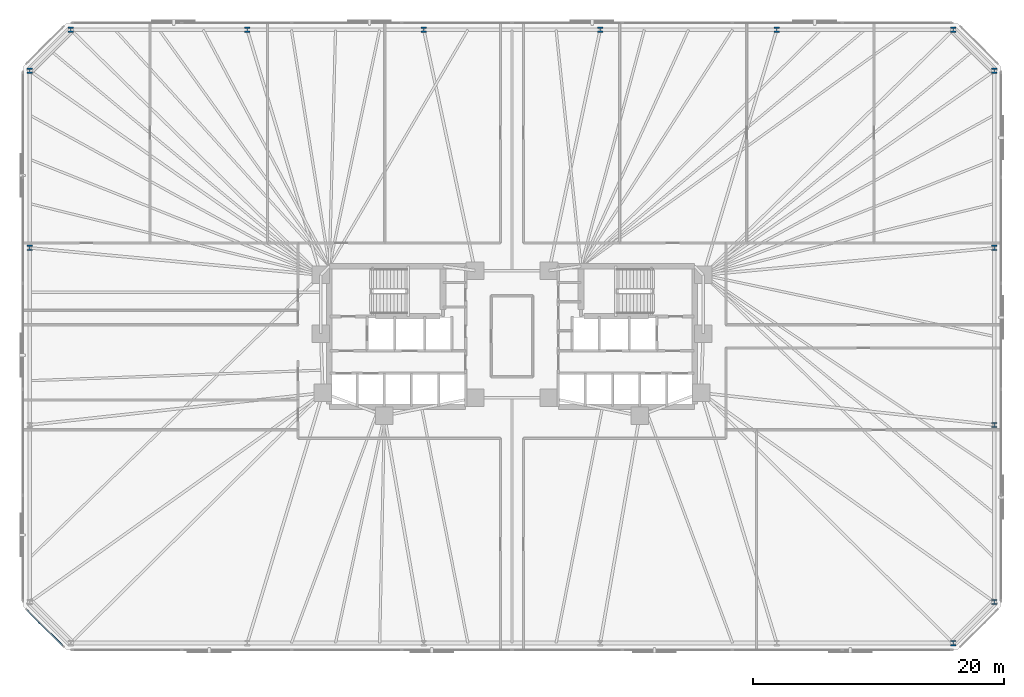
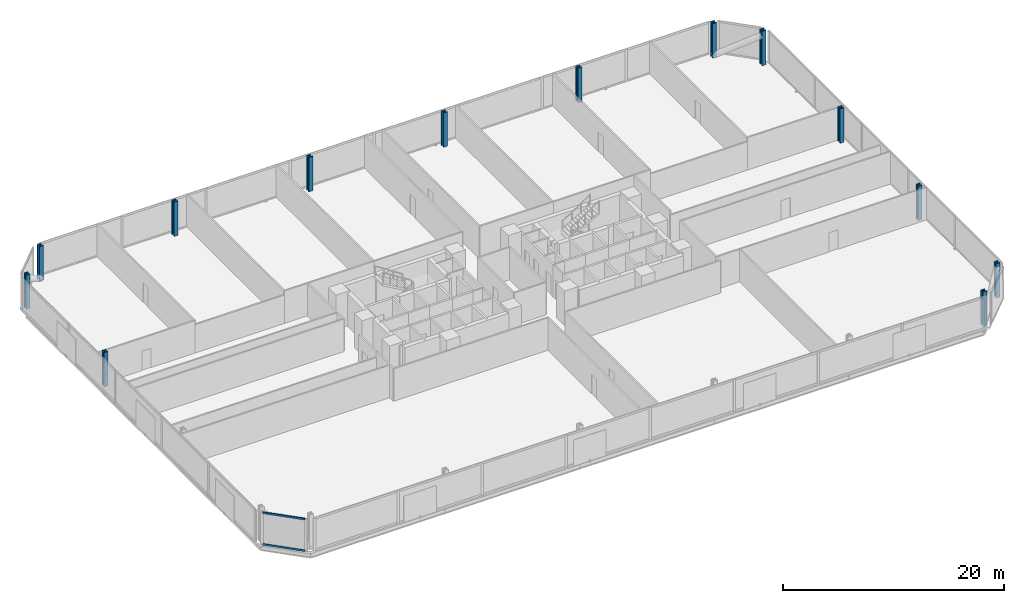
# One storey, part 5 of 16: 13 columns, 2 members, 1 element without a shape of its own.
"""IFC4 building model written with IfcOpenShell, lengths in metres."""

from ifc_helpers import new_model, si_unit, direction, frame, origin, origin_2d, place, context, subcontext, project, spatial, rectangle, i_section, extrude, material, material_profile, profile_set, type_object, element, aggregate, save


model = new_model("IFC4")

# Units and contexts
model_context = context("Model", 3, precision=1e-05, world=origin(), true_north=direction((0.0, 1.0)))
body_context = subcontext(model_context, "Body", "Model", "MODEL_VIEW")
ifc_project = project(units=[si_unit("LENGTHUNIT", "METRE"), si_unit("AREAUNIT", "SQUARE_METRE"), si_unit("VOLUMEUNIT", "CUBIC_METRE"), si_unit("PLANEANGLEUNIT", "RADIAN"), si_unit("MASSUNIT", "GRAM", prefix="KILO")], contexts=[model_context])

# Site, building, storey
site_placement = place(None, origin())
site = spatial("IfcSite", under=ifc_project, at=site_placement, CompositionType="ELEMENT")
building_placement = place(site_placement, origin())
building = spatial("IfcBuilding", under=site, at=building_placement, Name="Menara Jurai Vektor", CompositionType="ELEMENT")
storey_placement = place(building_placement, frame((0.0, 0.0, 33.199951171875)))
storey = spatial("IfcBuildingStorey", under=building, at=storey_placement, Name="L07", CompositionType="ELEMENT", Elevation=33.199951171875)

# Columns
ifc_material_1 = material(Name="Steel S460", Category="steel")
ifc_material_profile_1 = material_profile(ifc_material_1, i_section(OverallWidth=0.419921875, OverallDepth=0.430908203125, WebThickness=0.06494140625, FlangeThickness=0.10595703125, FilletRadius=0.014892578125, at=origin_2d()), Name="HD 400x900")
ifc_profile_set_1 = profile_set([ifc_material_profile_1], Name="Steel S460")
column_type = type_object("IfcColumnType", Name="STR-EXO-BLK1", PredefinedType="COLUMN", material=ifc_profile_set_1)
for number, where, z_axis, x_axis, name in (
    (1, (35.177734375, -24.449951171875, 0.0), (0.0, 0.0, 1.0), (1.0, 0.0, 0.0), "Exoskeleton Column BLK1-S6 L07"),
    (2, (38.449951171875, -21.177734375, 0.0), (0.0, 0.0, 1.0), (1.0, 0.0, 0.0), "Exoskeleton Column BLK1-E1 L07"),
    (3, (38.449951171875, -7.059326171875, 0.0), (0.0, 0.0, 1.0), (1.0, 0.0, 0.0), "Exoskeleton Column BLK1-E2 L07"),
    (4, (38.449951171875, 7.059326171875, 0.0), (0.0, 0.0, 1.0), (1.0, 0.0, 0.0), "Exoskeleton Column BLK1-E3 L07"),
    (5, (38.449951171875, 21.177734375, 0.0), (0.0, 0.0, 1.0), (1.0, 0.0, 0.0), "Exoskeleton Column BLK1-E4 L07"),
    (6, (35.177734375, 24.449951171875, 0.0), (0.0, 0.0, 1.0), (1.0, 0.0, 0.0), "Exoskeleton Column BLK1-N1 L07"),
    (7, (21.106689453125, 24.449951171875, 0.0), (0.0, 0.0, 1.0), (1.0, 0.0, 0.0), "Exoskeleton Column BLK1-N2 L07"),
    (8, (7.03564453125, 24.449951171875, 0.0), (0.0, 0.0, 1.0), (1.0, 0.0, 0.0), "Exoskeleton Column BLK1-N3 L07"),
    (9, (-7.03564453125, 24.449951171875, 0.0), (0.0, 0.0, 1.0), (1.0, 0.0, 0.0), "Exoskeleton Column BLK1-N4 L07"),
    (10, (-21.106689453125, 24.449951171875, 0.0), (0.0, 0.0, 1.0), (1.0, 0.0, 0.0), "Exoskeleton Column BLK1-N5 L07"),
    (11, (-35.177734375, 24.449951171875, 0.0), (0.0, 0.0, 1.0), (1.0, 0.0, 0.0), "Exoskeleton Column BLK1-N6 L07"),
    (12, (-38.449951171875, 21.177734375, 0.0), (0.0, 0.0, 1.0), (1.0, 0.0, 0.0), "Exoskeleton Column BLK1-W1 L07"),
    (13, (-38.449951171875, 7.059326171875, 0.0), (0.0, 0.0, 1.0), (1.0, 0.0, 0.0), "Exoskeleton Column BLK1-W2 L07"),
):
    element("IfcColumn", number, at=place(storey_placement, frame(where, z_axis=z_axis, x_axis=x_axis)), inside=storey, type_object=column_type, Name=name, PredefinedType="COLUMN", context=body_context, shape_type="SweptSolid", body=[
        extrude(i_section(OverallWidth=0.419921875, OverallDepth=0.430908203125, WebThickness=0.06494140625, FlangeThickness=0.10595703125, FilletRadius=0.014892578125, at=origin_2d()), origin(), (0.0, 0.0, 1.0), 3.800048828125),
    ])

# Curtain wall, members
ifc_material_2 = material(Name="Anodised Pale Aluminium & Low-E Double Glazing", Category="aluminium")
curtain_wall_type = type_object("IfcCurtainWallType", Name="CW-BLK1", PredefinedType="NOTDEFINED", material=ifc_material_2)
curtain_wall_placement = place(storey_placement, origin())
curtain_wall = element("IfcCurtainWall", 14, at=curtain_wall_placement, inside=storey, type_object=curtain_wall_type, Name="Unitised Curtain Wall L07 F08", PredefinedType="NOTDEFINED")
ifc_material_3 = material(Name="Anodised Pale Aluminium Transom", Category="aluminium")
ifc_material_profile_2 = material_profile(ifc_material_3, rectangle(XDim=0.094970703125, YDim=0.199951171875, at=origin_2d()), Name="ALU TRN 95x200")
ifc_profile_set_2 = profile_set([ifc_material_profile_2], Name="Anodised Pale Aluminium Transom")
member_type = type_object("IfcMemberType", Name="CW-BLK1-TRN", PredefinedType="USERDEFINED", material=ifc_profile_set_2)
member_1_placement = place(storey_placement, frame((-38.6640625, -21.8359375, 0.047607421875), z_axis=(0.707106781187, -0.707106781187, 0.0), x_axis=(0.707106781187, 0.707106781187, 0.0)))
member_1 = element("IfcMember", 15, at=member_1_placement, type_object=member_type, Name="CW-01 transom 1.1", ObjectType="TRANSOM", PredefinedType="USERDEFINED", context=body_context, shape_type="SweptSolid", body=[
    extrude(rectangle(XDim=0.094970703125, YDim=0.199951171875, at=origin_2d()), origin(), (0.0, 0.0, 1.0), 3.99951171875),
])
member_2_placement = place(storey_placement, frame((-38.6640625, -21.8359375, 3.527587890625), z_axis=(0.707106781187, -0.707106781187, 0.0), x_axis=(0.707106781187, 0.707106781187, 0.0)))
member_2 = element("IfcMember", 16, at=member_2_placement, type_object=member_type, Name="CW-01 transom 1.2", ObjectType="TRANSOM", PredefinedType="USERDEFINED", context=body_context, shape_type="SweptSolid", body=[
    extrude(rectangle(XDim=0.094970703125, YDim=0.199951171875, at=origin_2d()), origin(), (0.0, 0.0, 1.0), 3.99951171875),
])
aggregate(curtain_wall, [member_1, member_2])

save(model, "model.ifc")
